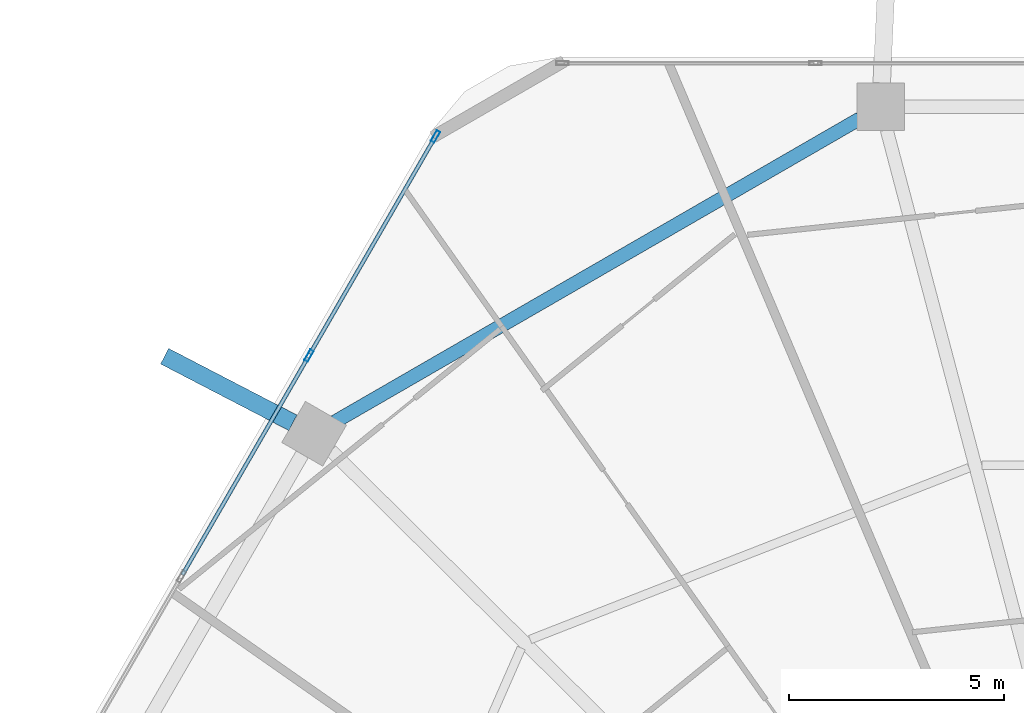
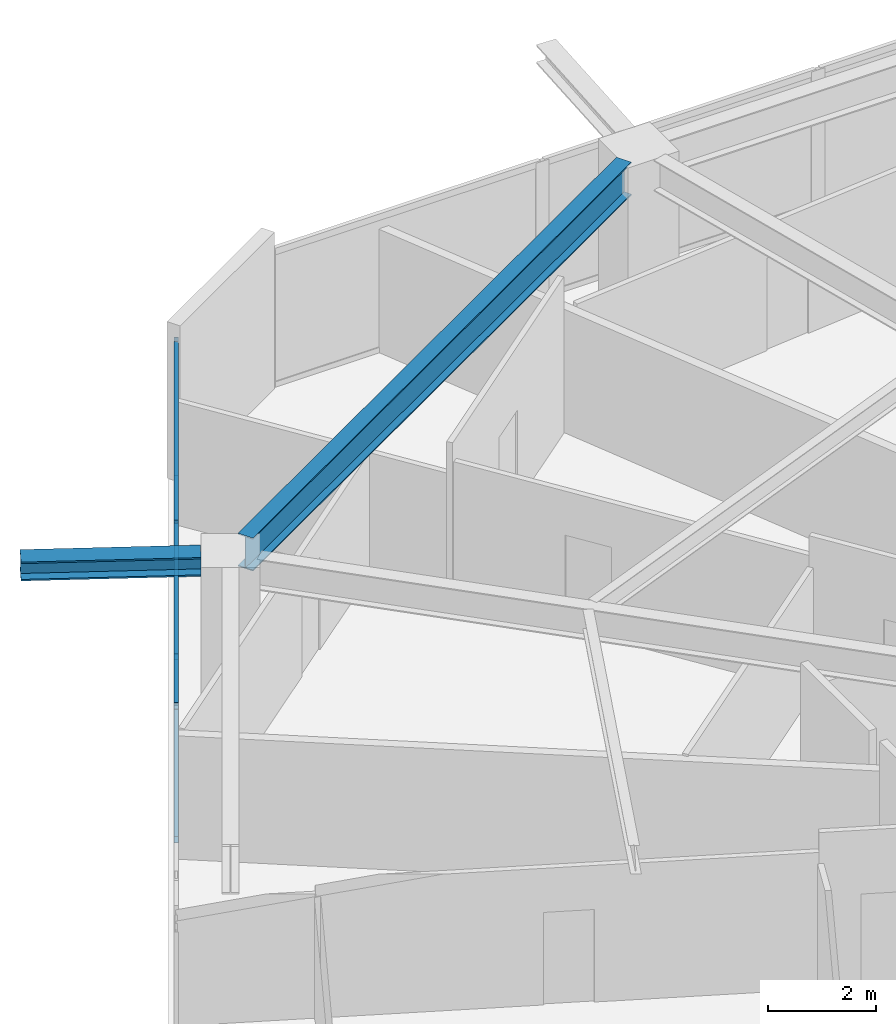
# One storey, part 15 of 32: 6 members, 2 beams, 1 element without a shape of its own.
"""IFC4 building model written with IfcOpenShell, lengths in metres."""

from ifc_helpers import new_model, si_unit, direction, frame, origin, origin_2d, place, context, subcontext, project, spatial, hollow_rectangle, i_section, extrude, material, material_profile, profile_set, type_object, element, aggregate, save


model = new_model("IFC4")

# Units and contexts
model_context = context("Model", 3, precision=1e-05, world=origin(), true_north=direction((0.0, 1.0)))
body_context = subcontext(model_context, "Body", "Model", "MODEL_VIEW")
ifc_project = project(units=[si_unit("LENGTHUNIT", "METRE"), si_unit("AREAUNIT", "SQUARE_METRE"), si_unit("VOLUMEUNIT", "CUBIC_METRE"), si_unit("PLANEANGLEUNIT", "RADIAN"), si_unit("MASSUNIT", "GRAM", prefix="KILO")], contexts=[model_context])

# Site, building, storey
site_placement = place(None, origin())
site = spatial("IfcSite", under=ifc_project, at=site_placement, CompositionType="ELEMENT")
building_placement = place(site_placement, origin())
building = spatial("IfcBuilding", under=site, at=building_placement, Name="Zuhravey Tower", CompositionType="ELEMENT")
storey_placement = place(building_placement, frame((0.0, 0.0, 111.39990234375)))
storey = spatial("IfcBuildingStorey", under=building, at=storey_placement, Name="L27", CompositionType="ELEMENT", Elevation=111.39990234375)

# Curtain wall, members
ifc_material_1 = material(Name="Thermally broken anodised aluminium", Category="aluminium")
curtain_wall_type = type_object("IfcCurtainWallType", Name="Zone 1-2 Residential Curtain Wall CW3", PredefinedType="NOTDEFINED", material=ifc_material_1)
curtain_wall_placement = place(storey_placement, origin())
curtain_wall = element("IfcCurtainWall", 1, at=curtain_wall_placement, inside=storey, type_object=curtain_wall_type, Name="L27 CW3 CW-L27-F3-1", PredefinedType="NOTDEFINED")
ifc_material_2 = material(Name="Anodised aluminium", Category="aluminium")
ifc_material_profile_1 = material_profile(ifc_material_2, hollow_rectangle(XDim=0.090087890625, YDim=0.284912109375, WallThickness=0.0048828125, at=origin_2d()), Name="ALU-RHS-90x285x5")
ifc_profile_set_1 = profile_set([ifc_material_profile_1], Name="Anodised aluminium")
member_type_1 = type_object("IfcMemberType", Name="Curtain-Wall Mullion 90x180", PredefinedType="MULLION", material=ifc_profile_set_1)
member_1_placement = place(storey_placement, frame((15.361083984375, 54.169189453125, 0.0), z_axis=(0.0, 0.0, 1.0), x_axis=(-0.86602552265, 0.499999794119, 0.0)))
member_1 = element("IfcMember", 2, at=member_1_placement, type_object=member_type_1, Name="CW3 mullion 5", PredefinedType="MULLION", context=body_context, shape_type="SweptSolid", body=[
    extrude(hollow_rectangle(XDim=0.090087890625, YDim=0.284912109375, WallThickness=0.0048828125, at=origin_2d()), origin(), (0.0, 0.0, 1.0), 3.1220703125),
])
member_2_placement = place(storey_placement, frame((18.298583984375, 59.257080078125, 0.0), z_axis=(0.0, 0.0, 1.0), x_axis=(-0.86602552265, 0.499999794119, 0.0)))
member_2 = element("IfcMember", 3, at=member_2_placement, type_object=member_type_1, Name="CW3 mullion 6", PredefinedType="MULLION", context=body_context, shape_type="SweptSolid", body=[
    extrude(hollow_rectangle(XDim=0.090087890625, YDim=0.284912109375, WallThickness=0.0048828125, at=origin_2d()), origin(), (0.0, 0.0, 1.0), 3.1220703125),
])
ifc_material_profile_2 = material_profile(ifc_material_2, hollow_rectangle(XDim=0.090087890625, YDim=0.14990234375, WallThickness=0.0048828125, at=origin_2d()), Name="ALU-RHS-90x150x5")
ifc_profile_set_2 = profile_set([ifc_material_profile_2], Name="Anodised aluminium")
member_type_2 = type_object("IfcMemberType", Name="Curtain-Wall Transom 90x150", PredefinedType="USERDEFINED", material=ifc_profile_set_2)
member_3_placement = place(storey_placement, frame((12.423583984375, 49.08154296875, 0.045166015625), z_axis=(0.500012451049, 0.866018215049, 0.0), x_axis=(-0.866018215049, 0.500012451049, 0.0)))
member_3 = element("IfcMember", 4, at=member_3_placement, type_object=member_type_2, Name="CW3 transom 4.1", ObjectType="TRANSOM", PredefinedType="USERDEFINED", context=body_context, shape_type="SweptSolid", body=[
    extrude(hollow_rectangle(XDim=0.090087890625, YDim=0.14990234375, WallThickness=0.0048828125, at=origin_2d()), origin(), (0.0, 0.0, 1.0), 5.829833984375),
])
member_4_placement = place(storey_placement, frame((12.423583984375, 49.08154296875, 3.0771484375), z_axis=(0.500012451049, 0.866018215049, 0.0), x_axis=(-0.866018215049, 0.500012451049, 0.0)))
member_4 = element("IfcMember", 5, at=member_4_placement, type_object=member_type_2, Name="CW3 transom 4.2", ObjectType="TRANSOM", PredefinedType="USERDEFINED", context=body_context, shape_type="SweptSolid", body=[
    extrude(hollow_rectangle(XDim=0.090087890625, YDim=0.14990234375, WallThickness=0.0048828125, at=origin_2d()), origin(), (0.0, 0.0, 1.0), 5.829833984375),
])
member_5_placement = place(storey_placement, frame((15.383544921875, 54.208251953125, 0.045166015625), z_axis=(0.499992798144, 0.866029561738, 0.0), x_axis=(-0.866029561738, 0.499992798144, 0.0)))
member_5 = element("IfcMember", 6, at=member_5_placement, type_object=member_type_2, Name="CW3 transom 5.1", ObjectType="TRANSOM", PredefinedType="USERDEFINED", context=body_context, shape_type="SweptSolid", body=[
    extrude(hollow_rectangle(XDim=0.090087890625, YDim=0.14990234375, WallThickness=0.0048828125, at=origin_2d()), origin(), (0.0, 0.0, 1.0), 5.78466796875),
])
member_6_placement = place(storey_placement, frame((15.383544921875, 54.208251953125, 3.0771484375), z_axis=(0.499992798144, 0.866029561738, 0.0), x_axis=(-0.866029561738, 0.499992798144, 0.0)))
member_6 = element("IfcMember", 7, at=member_6_placement, type_object=member_type_2, Name="CW3 transom 5.2", ObjectType="TRANSOM", PredefinedType="USERDEFINED", context=body_context, shape_type="SweptSolid", body=[
    extrude(hollow_rectangle(XDim=0.090087890625, YDim=0.14990234375, WallThickness=0.0048828125, at=origin_2d()), origin(), (0.0, 0.0, 1.0), 5.78466796875),
])
aggregate(curtain_wall, [member_1, member_2, member_3, member_4, member_5, member_6])

# Beams
ifc_material_3 = material(Name="Steel SM460", Category="steel")
ifc_material_profile_3 = material_profile(ifc_material_3, i_section(OverallWidth=0.406982421875, OverallDepth=0.427978515625, WebThickness=0.02001953125, FlangeThickness=0.034912109375, at=origin_2d()), Name="H-428x407x20x35")
ifc_profile_set_3 = profile_set([ifc_material_profile_3], Name="Steel SM460")
beam_type_1 = type_object("IfcBeamType", Name="Exoskeleton Node Tie Beam H428x407", PredefinedType="BEAM", material=ifc_profile_set_3)
beam_1_placement = place(storey_placement, frame((14.98876953125, 52.6123046875, 3.336181640625), z_axis=(-0.887601373012, 0.460612421269, 0.0), x_axis=(-0.460612421269, -0.887601373012, 0.0)))
element("IfcBeam", 8, at=beam_1_placement, inside=storey, type_object=beam_type_1, Name="L27 Exoskeleton Node Tie NT1-05", PredefinedType="BEAM", context=body_context, shape_type="SweptSolid", body=[
    extrude(i_section(OverallWidth=0.406982421875, OverallDepth=0.427978515625, WebThickness=0.02001953125, FlangeThickness=0.034912109375, at=origin_2d()), origin(), (0.0, 0.0, 1.0), 3.3544921875),
])
ifc_material_4 = material(Name="Steel SM355", Category="steel")
ifc_material_profile_4 = material_profile(ifc_material_4, i_section(OverallWidth=0.320068359375, OverallDepth=0.75, WebThickness=0.013916015625, FlangeThickness=0.02490234375, at=origin_2d()), Name="H-750x320x14x25")
ifc_profile_set_4 = profile_set([ifc_material_profile_4], Name="Steel SM355")
beam_type_2 = type_object("IfcBeamType", Name="Perimeter Ring Beam H750x320", PredefinedType="BEAM", material=ifc_profile_set_4)
beam_2_placement = place(storey_placement, frame((28.151123046875, 59.672119140625, 3.175048828125), z_axis=(-0.866017786538, -0.500013193225, 0.0), x_axis=(0.500013193225, -0.866017786538, 0.0)))
element("IfcBeam", 9, at=beam_2_placement, inside=storey, type_object=beam_type_2, Name="L27 PB1 BM-L27-PB-04", PredefinedType="BEAM", context=body_context, shape_type="SweptSolid", body=[
    extrude(i_section(OverallWidth=0.320068359375, OverallDepth=0.75, WebThickness=0.013916015625, FlangeThickness=0.02490234375, at=origin_2d()), origin(), (0.0, 0.0, 1.0), 14.0771484375),
])

save(model, "model.ifc")
